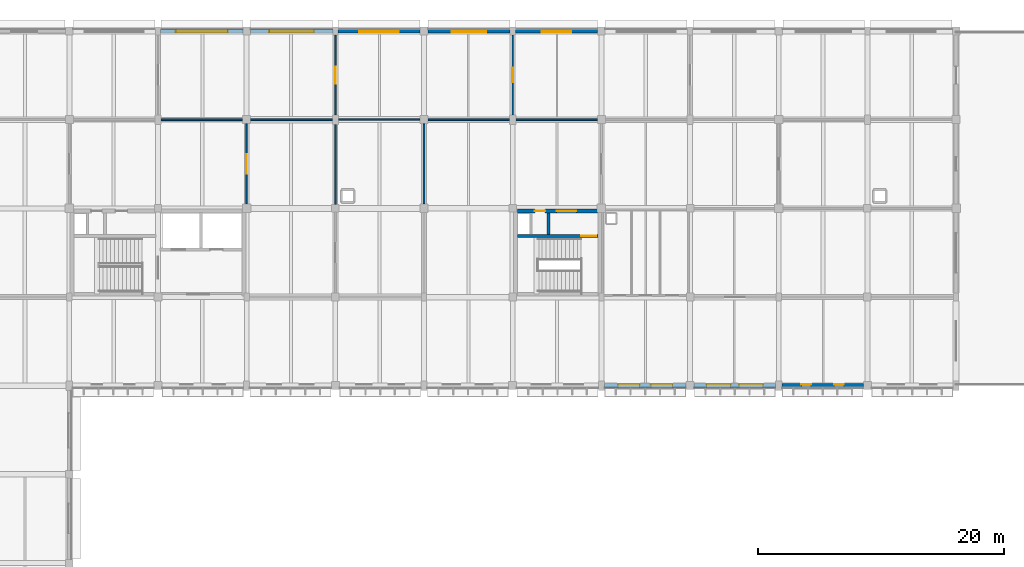
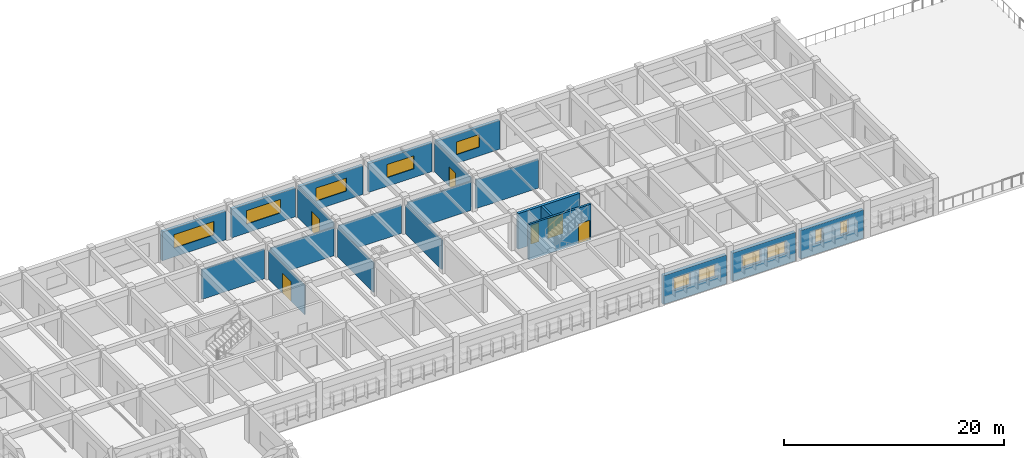
# One storey, part 26 of 38: 21 walls, 11 windows, 6 doors, 17 openings.
"""IFC4 building model written with IfcOpenShell, lengths in metres."""

from ifc_helpers import new_model, si_unit, direction, frame, frame_2d, origin, place, context, subcontext, project, spatial, rectangle, extrude, material, layer, layer_set, type_object, element, fill, save


model = new_model("IFC4")

# Units and contexts
model_context = context("Model", 3, precision=1e-05, world=origin(), true_north=direction((0.0, 1.0)))
body_context = subcontext(model_context, "Body", "Model", "MODEL_VIEW")
ifc_project = project(units=[si_unit("LENGTHUNIT", "METRE"), si_unit("AREAUNIT", "SQUARE_METRE"), si_unit("VOLUMEUNIT", "CUBIC_METRE"), si_unit("PLANEANGLEUNIT", "RADIAN"), si_unit("MASSUNIT", "GRAM", prefix="KILO")], contexts=[model_context])

# Site, building, storey
site_placement = place(None, origin())
site = spatial("IfcSite", under=ifc_project, at=site_placement, CompositionType="ELEMENT")
building_placement = place(site_placement, origin())
building = spatial("IfcBuilding", under=site, at=building_placement, Name="Thalmaran Polytechnic", CompositionType="ELEMENT")
storey_placement = place(building_placement, frame((0.0, 0.0, 18.60009765625)))
storey = spatial("IfcBuildingStorey", under=building, at=storey_placement, Name="L04", CompositionType="ELEMENT", Elevation=18.60009765625)

# Wall, openings, windows
ifc_material_1 = material(Name="Precast concrete C40/50", Category="concrete")
ifc_layer_1 = layer(ifc_material_1, 0.360107421875, Name="Precast concrete C40/50")
ifc_layer_set_1 = layer_set([ifc_layer_1], Name="Precast concrete C40/50")
wall_type_1 = type_object("IfcWallType", Name="WL-EW01", PredefinedType="STANDARD", material=ifc_layer_set_1)
wall_1_placement = place(storey_placement, frame((86.074951171875, 93.60009765625, 0.0), z_axis=(0.0, 0.0, 1.0), x_axis=(-1.0, 0.0, 0.0)))
wall_1 = element("IfcWall", 1, at=wall_1_placement, inside=storey, type_object=wall_type_1, Name="Exterior Precast Facade Wall L04-070", PredefinedType="STANDARD", context=body_context, shape_type="SweptSolid", body=[
    extrude(rectangle(XDim=6.625, YDim=0.360107421875, at=frame_2d((3.3125, 0.0))), origin(), (0.0, 0.0, 1.0), 3.179931640625),
])
opening_1_placement = place(wall_1_placement, frame((1.58740234375, 0.0, 1.14990234375)))
opening_1 = element("IfcOpeningElement", 2, at=opening_1_placement, cuts=wall_1, Name="Opening PW16", PredefinedType="OPENING", context=body_context, shape_type="SweptSolid", body=[
    extrude(rectangle(XDim=0.800048828125, YDim=1.5, at=frame_2d((0.39990234375, 0.75))), frame((0.0, 0.18994140625, 0.0), z_axis=(0.0, -1.0, 0.0), x_axis=(1.0, 0.0, 0.0)), (0.0, 0.0, 1.0), 0.380126953125),
])
opening_2_placement = place(wall_1_placement, frame((4.237548828125, 0.0, 1.14990234375)))
opening_2 = element("IfcOpeningElement", 3, at=opening_2_placement, cuts=wall_1, Name="Opening PW16", PredefinedType="OPENING", context=body_context, shape_type="SweptSolid", body=[
    extrude(rectangle(XDim=0.800048828125, YDim=1.5, at=frame_2d((0.39990234375, 0.75))), frame((0.0, 0.18994140625, 0.0), z_axis=(0.0, -1.0, 0.0), x_axis=(1.0, 0.0, 0.0)), (0.0, 0.0, 1.0), 0.380126953125),
])
ifc_material_2 = material(Name="Thermally broken aluminium and double low-E glass", Category="aluminium")
window_type_1 = type_object("IfcWindowType", Name="WN-PW06", PartitioningType="SINGLE_PANEL", PredefinedType="WINDOW", material=ifc_material_2)
window_1_placement = place(opening_1_placement, origin())
window_1 = element("IfcWindow", 4, at=window_1_placement, inside=storey, type_object=window_type_1, Name="Deep-Set Solar-Screened Window W-0606", OverallHeight=1.5, OverallWidth=0.800048828125, PartitioningType="SINGLE_PANEL", PredefinedType="WINDOW", context=body_context, shape_type="SweptSolid", body=[
    extrude(rectangle(XDim=0.800048828125, YDim=1.5, at=frame_2d((0.39990234375, 0.75))), frame((0.0, -0.080078125, 0.0), z_axis=(0.0, -1.0, 0.0), x_axis=(1.0, 0.0, 0.0)), (0.0, 0.0, 1.0), 0.06005859375),
])
fill(opening_1, window_1)
window_2_placement = place(opening_2_placement, origin())
window_2 = element("IfcWindow", 5, at=window_2_placement, inside=storey, type_object=window_type_1, Name="Deep-Set Solar-Screened Window W-0607", OverallHeight=1.5, OverallWidth=0.800048828125, PartitioningType="SINGLE_PANEL", PredefinedType="WINDOW", context=body_context, shape_type="SweptSolid", body=[
    extrude(rectangle(XDim=0.800048828125, YDim=1.5, at=frame_2d((0.39990234375, 0.75))), frame((0.0, -0.080078125, 0.0), z_axis=(0.0, -1.0, 0.0), x_axis=(1.0, 0.0, 0.0)), (0.0, 0.0, 1.0), 0.06005859375),
])
fill(opening_2, window_2)

wall_2_placement = place(storey_placement, frame((78.949951171875, 93.60009765625, 0.0), z_axis=(0.0, 0.0, 1.0), x_axis=(-1.0, 0.0, 0.0)))
wall_2 = element("IfcWall", 6, at=wall_2_placement, inside=storey, type_object=wall_type_1, Name="Exterior Precast Facade Wall L04-071", PredefinedType="STANDARD", context=body_context, shape_type="SweptSolid", body=[
    extrude(rectangle(XDim=6.625, YDim=0.360107421875, at=frame_2d((3.3125, 0.0))), origin(), (0.0, 0.0, 1.0), 3.179931640625),
])
opening_3_placement = place(wall_2_placement, frame((1.012451171875, 0.0, 1.14990234375)))
opening_3 = element("IfcOpeningElement", 7, at=opening_3_placement, cuts=wall_2, Name="Opening VW07", PredefinedType="OPENING", context=body_context, shape_type="SweptSolid", body=[
    extrude(rectangle(XDim=1.949951171875, YDim=1.39990234375, at=frame_2d((0.97509765625, 0.699951171875))), frame((0.0, 0.18994140625, 0.0), z_axis=(0.0, -1.0, 0.0), x_axis=(1.0, 0.0, 0.0)), (0.0, 0.0, 1.0), 0.380126953125),
])
opening_4_placement = place(wall_2_placement, frame((3.66259765625, 0.0, 1.14990234375)))
opening_4 = element("IfcOpeningElement", 8, at=opening_4_placement, cuts=wall_2, Name="Opening VW07", PredefinedType="OPENING", context=body_context, shape_type="SweptSolid", body=[
    extrude(rectangle(XDim=1.949951171875, YDim=1.39990234375, at=frame_2d((0.97509765625, 0.699951171875))), frame((0.0, 0.18994140625, 0.0), z_axis=(0.0, -1.0, 0.0), x_axis=(1.0, 0.0, 0.0)), (0.0, 0.0, 1.0), 0.380126953125),
])
window_type_2 = type_object("IfcWindowType", Name="WN-VZ07", PartitioningType="SINGLE_PANEL", PredefinedType="WINDOW", material=ifc_material_2)
window_3_placement = place(opening_3_placement, origin())
window_3 = element("IfcWindow", 9, at=window_3_placement, inside=storey, type_object=window_type_2, Name="Deep-Set Solar-Screened Window W-0608", OverallHeight=1.39990234375, OverallWidth=1.949951171875, PartitioningType="SINGLE_PANEL", PredefinedType="WINDOW", context=body_context, shape_type="SweptSolid", body=[
    extrude(rectangle(XDim=1.949951171875, YDim=1.39990234375, at=frame_2d((0.97509765625, 0.699951171875))), frame((0.0, -0.080078125, 0.0), z_axis=(0.0, -1.0, 0.0), x_axis=(1.0, 0.0, 0.0)), (0.0, 0.0, 1.0), 0.06005859375),
])
fill(opening_3, window_3)
window_4_placement = place(opening_4_placement, origin())
window_4 = element("IfcWindow", 10, at=window_4_placement, inside=storey, type_object=window_type_2, Name="Deep-Set Solar-Screened Window W-0609", OverallHeight=1.39990234375, OverallWidth=1.949951171875, PartitioningType="SINGLE_PANEL", PredefinedType="WINDOW", context=body_context, shape_type="SweptSolid", body=[
    extrude(rectangle(XDim=1.949951171875, YDim=1.39990234375, at=frame_2d((0.97509765625, 0.699951171875))), frame((0.0, -0.080078125, 0.0), z_axis=(0.0, -1.0, 0.0), x_axis=(1.0, 0.0, 0.0)), (0.0, 0.0, 1.0), 0.06005859375),
])
fill(opening_4, window_4)

wall_3_placement = place(storey_placement, frame((71.675048828125, 93.60009765625, 0.0), z_axis=(0.0, 0.0, 1.0), x_axis=(-1.0, 0.0, 0.0)))
wall_3 = element("IfcWall", 11, at=wall_3_placement, inside=storey, type_object=wall_type_1, Name="Exterior Precast Facade Wall L04-072", PredefinedType="STANDARD", context=body_context, shape_type="SweptSolid", body=[
    extrude(rectangle(XDim=6.625, YDim=0.360107421875, at=frame_2d((3.3125, 0.0))), origin(), (0.0, 0.0, 1.0), 3.199951171875),
])
opening_5_placement = place(wall_3_placement, frame((1.112548828125, 0.0, 1.14990234375)))
opening_5 = element("IfcOpeningElement", 12, at=opening_5_placement, cuts=wall_3, Name="Opening VW08", PredefinedType="OPENING", context=body_context, shape_type="SweptSolid", body=[
    extrude(rectangle(XDim=1.75, YDim=1.39990234375, at=frame_2d((0.875, 0.699951171875))), frame((0.0, 0.18994140625, 0.0), z_axis=(0.0, -1.0, 0.0), x_axis=(1.0, 0.0, 0.0)), (0.0, 0.0, 1.0), 0.380126953125),
])
opening_6_placement = place(wall_3_placement, frame((3.762451171875, 0.0, 1.14990234375)))
opening_6 = element("IfcOpeningElement", 13, at=opening_6_placement, cuts=wall_3, Name="Opening VW08", PredefinedType="OPENING", context=body_context, shape_type="SweptSolid", body=[
    extrude(rectangle(XDim=1.75, YDim=1.39990234375, at=frame_2d((0.875, 0.699951171875))), frame((0.0, 0.18994140625, 0.0), z_axis=(0.0, -1.0, 0.0), x_axis=(1.0, 0.0, 0.0)), (0.0, 0.0, 1.0), 0.380126953125),
])
window_type_3 = type_object("IfcWindowType", Name="WN-VZ08", PartitioningType="SINGLE_PANEL", PredefinedType="WINDOW", material=ifc_material_2)
window_5_placement = place(opening_5_placement, origin())
window_5 = element("IfcWindow", 14, at=window_5_placement, inside=storey, type_object=window_type_3, Name="Deep-Set Solar-Screened Window W-0610", OverallHeight=1.39990234375, OverallWidth=1.75, PartitioningType="SINGLE_PANEL", PredefinedType="WINDOW", context=body_context, shape_type="SweptSolid", body=[
    extrude(rectangle(XDim=1.75, YDim=1.39990234375, at=frame_2d((0.875, 0.699951171875))), frame((0.0, -0.080078125, 0.0), z_axis=(0.0, -1.0, 0.0), x_axis=(1.0, 0.0, 0.0)), (0.0, 0.0, 1.0), 0.06005859375),
])
fill(opening_5, window_5)
window_6_placement = place(opening_6_placement, origin())
window_6 = element("IfcWindow", 15, at=window_6_placement, inside=storey, type_object=window_type_3, Name="Deep-Set Solar-Screened Window W-0611", OverallHeight=1.39990234375, OverallWidth=1.75, PartitioningType="SINGLE_PANEL", PredefinedType="WINDOW", context=body_context, shape_type="SweptSolid", body=[
    extrude(rectangle(XDim=1.75, YDim=1.39990234375, at=frame_2d((0.875, 0.699951171875))), frame((0.0, -0.080078125, 0.0), z_axis=(0.0, -1.0, 0.0), x_axis=(1.0, 0.0, 0.0)), (0.0, 0.0, 1.0), 0.06005859375),
])
fill(opening_6, window_6)

# Wall, opening, window
ifc_layer_2 = layer(ifc_material_1, 0.31005859375, Name="Precast concrete C40/50")
ifc_layer_set_2 = layer_set([ifc_layer_2], Name="Precast concrete C40/50")
wall_type_2 = type_object("IfcWallType", Name="WL-EW03", PredefinedType="STANDARD", material=ifc_layer_set_2)
wall_4_placement = place(storey_placement, frame((29.010009765625, 122.39990234375, 0.0), z_axis=(0.0, 0.0, 1.0), x_axis=(1.0, 0.0, 0.0)))
wall_4 = element("IfcWall", 16, at=wall_4_placement, inside=storey, type_object=wall_type_2, Name="Exterior Precast Facade Wall L04-056", PredefinedType="STANDARD", context=body_context, shape_type="SweptSolid", body=[
    extrude(rectangle(XDim=6.679931640625, YDim=0.31005859375, at=frame_2d((3.33984375, 0.0))), origin(), (0.0, 0.0, 1.0), 3.199951171875),
])
opening_7_placement = place(wall_4_placement, frame((1.239990234375, 0.0, 0.97998046875)))
opening_7 = element("IfcOpeningElement", 17, at=opening_7_placement, cuts=wall_4, Name="Opening RW02", PredefinedType="OPENING", context=body_context, shape_type="SweptSolid", body=[
    extrude(rectangle(XDim=4.199951171875, YDim=1.5, at=frame_2d((2.10009765625, 0.75))), frame((0.0, 0.1650390625, 0.0), z_axis=(0.0, -1.0, 0.0), x_axis=(1.0, 0.0, 0.0)), (0.0, 0.0, 1.0), 0.330078125),
])
window_type_4 = type_object("IfcWindowType", Name="WN-RW02", PartitioningType="TRIPLE_PANEL_HORIZONTAL", PredefinedType="WINDOW", material=ifc_material_2)
window_7_placement = place(opening_7_placement, origin())
window_7 = element("IfcWindow", 18, at=window_7_placement, inside=storey, type_object=window_type_4, Name="Streamline Ribbon Window W-0593", OverallHeight=1.5, OverallWidth=4.199951171875, PartitioningType="SINGLE_PANEL", PredefinedType="WINDOW", context=body_context, shape_type="SweptSolid", body=[
    extrude(rectangle(XDim=4.199951171875, YDim=1.5, at=frame_2d((2.10009765625, 0.75))), frame((0.0, -0.030029296875, 0.0), z_axis=(0.0, -1.0, 0.0), x_axis=(1.0, 0.0, 0.0)), (0.0, 0.0, 1.0), 0.06005859375),
])
fill(opening_7, window_7)

wall_5_placement = place(storey_placement, frame((36.31005859375, 122.39990234375, 0.0), z_axis=(0.0, 0.0, 1.0), x_axis=(1.0, 0.0, 0.0)))
wall_5 = element("IfcWall", 19, at=wall_5_placement, inside=storey, type_object=wall_type_2, Name="Exterior Precast Facade Wall L04-057", PredefinedType="STANDARD", context=body_context, shape_type="SweptSolid", body=[
    extrude(rectangle(XDim=6.679931640625, YDim=0.31005859375, at=frame_2d((3.33984375, 0.0))), origin(), (0.0, 0.0, 1.0), 3.199951171875),
])
opening_8_placement = place(wall_5_placement, frame((1.5400390625, 0.0, 0.97998046875)))
opening_8 = element("IfcOpeningElement", 20, at=opening_8_placement, cuts=wall_5, Name="Opening RW03", PredefinedType="OPENING", context=body_context, shape_type="SweptSolid", body=[
    extrude(rectangle(XDim=3.60009765625, YDim=1.5, at=frame_2d((1.800048828125, 0.75))), frame((0.0, 0.1650390625, 0.0), z_axis=(0.0, -1.0, 0.0), x_axis=(1.0, 0.0, 0.0)), (0.0, 0.0, 1.0), 0.330078125),
])
window_type_5 = type_object("IfcWindowType", Name="WN-RW03", PartitioningType="DOUBLE_PANEL_VERTICAL", PredefinedType="WINDOW", material=ifc_material_2)
window_8_placement = place(opening_8_placement, origin())
window_8 = element("IfcWindow", 21, at=window_8_placement, inside=storey, type_object=window_type_5, Name="Streamline Ribbon Window W-0594", OverallHeight=1.5, OverallWidth=3.60009765625, PartitioningType="SINGLE_PANEL", PredefinedType="WINDOW", context=body_context, shape_type="SweptSolid", body=[
    extrude(rectangle(XDim=3.60009765625, YDim=1.5, at=frame_2d((1.800048828125, 0.75))), frame((0.0, -0.030029296875, 0.0), z_axis=(0.0, -1.0, 0.0), x_axis=(1.0, 0.0, 0.0)), (0.0, 0.0, 1.0), 0.06005859375),
])
fill(opening_8, window_8)

wall_6_placement = place(storey_placement, frame((43.409912109375, 122.39990234375, 0.0), z_axis=(0.0, 0.0, 1.0), x_axis=(1.0, 0.0, 0.0)))
wall_6 = element("IfcWall", 22, at=wall_6_placement, inside=storey, type_object=wall_type_2, Name="Exterior Precast Facade Wall L04-058", PredefinedType="STANDARD", context=body_context, shape_type="SweptSolid", body=[
    extrude(rectangle(XDim=6.68017578125, YDim=0.31005859375, at=frame_2d((3.340087890625, 0.0))), origin(), (0.0, 0.0, 1.0), 3.199951171875),
])
opening_9_placement = place(wall_6_placement, frame((1.739990234375, 0.0, 0.97998046875)))
opening_9 = element("IfcOpeningElement", 23, at=opening_9_placement, cuts=wall_6, Name="Opening RW04", PredefinedType="OPENING", context=body_context, shape_type="SweptSolid", body=[
    extrude(rectangle(XDim=3.199951171875, YDim=1.449951171875, at=frame_2d((1.60009765625, 0.72509765625))), frame((0.0, 0.1650390625, 0.0), z_axis=(0.0, -1.0, 0.0), x_axis=(1.0, 0.0, 0.0)), (0.0, 0.0, 1.0), 0.330078125),
])
window_type_6 = type_object("IfcWindowType", Name="WN-RW04", PartitioningType="DOUBLE_PANEL_VERTICAL", PredefinedType="WINDOW", material=ifc_material_2)
window_9_placement = place(opening_9_placement, origin())
window_9 = element("IfcWindow", 24, at=window_9_placement, inside=storey, type_object=window_type_6, Name="Streamline Ribbon Window W-0595", OverallHeight=1.449951171875, OverallWidth=3.199951171875, PartitioningType="SINGLE_PANEL", PredefinedType="WINDOW", context=body_context, shape_type="SweptSolid", body=[
    extrude(rectangle(XDim=3.199951171875, YDim=1.449951171875, at=frame_2d((1.60009765625, 0.72509765625))), frame((0.0, -0.030029296875, 0.0), z_axis=(0.0, -1.0, 0.0), x_axis=(1.0, 0.0, 0.0)), (0.0, 0.0, 1.0), 0.06005859375),
])
fill(opening_9, window_9)

wall_7_placement = place(storey_placement, frame((50.7099609375, 122.39990234375, 0.0), z_axis=(0.0, 0.0, 1.0), x_axis=(1.0, 0.0, 0.0)))
wall_7 = element("IfcWall", 25, at=wall_7_placement, inside=storey, type_object=wall_type_2, Name="Exterior Precast Facade Wall L04-059", PredefinedType="STANDARD", context=body_context, shape_type="SweptSolid", body=[
    extrude(rectangle(XDim=6.679931640625, YDim=0.31005859375, at=frame_2d((3.33984375, 0.0))), origin(), (0.0, 0.0, 1.0), 3.199951171875),
])
opening_10_placement = place(wall_7_placement, frame((1.93994140625, 0.0, 0.97998046875)))
opening_10 = element("IfcOpeningElement", 26, at=opening_10_placement, cuts=wall_7, Name="Opening RW05", PredefinedType="OPENING", context=body_context, shape_type="SweptSolid", body=[
    extrude(rectangle(XDim=2.800048828125, YDim=1.449951171875, at=frame_2d((1.39990234375, 0.72509765625))), frame((0.0, 0.1650390625, 0.0), z_axis=(0.0, -1.0, 0.0), x_axis=(1.0, 0.0, 0.0)), (0.0, 0.0, 1.0), 0.330078125),
])
window_type_7 = type_object("IfcWindowType", Name="WN-RW05", PartitioningType="DOUBLE_PANEL_VERTICAL", PredefinedType="WINDOW", material=ifc_material_2)
window_10_placement = place(opening_10_placement, origin())
window_10 = element("IfcWindow", 27, at=window_10_placement, inside=storey, type_object=window_type_7, Name="Streamline Ribbon Window W-0596", OverallHeight=1.449951171875, OverallWidth=2.800048828125, PartitioningType="SINGLE_PANEL", PredefinedType="WINDOW", context=body_context, shape_type="SweptSolid", body=[
    extrude(rectangle(XDim=2.800048828125, YDim=1.449951171875, at=frame_2d((1.39990234375, 0.72509765625))), frame((0.0, -0.030029296875, 0.0), z_axis=(0.0, -1.0, 0.0), x_axis=(1.0, 0.0, 0.0)), (0.0, 0.0, 1.0), 0.06005859375),
])
fill(opening_10, window_10)

wall_8_placement = place(storey_placement, frame((57.81005859375, 122.39990234375, 0.0), z_axis=(0.0, 0.0, 1.0), x_axis=(1.0, 0.0, 0.0)))
wall_8 = element("IfcWall", 28, at=wall_8_placement, inside=storey, type_object=wall_type_2, Name="Exterior Precast Facade Wall L04-060", PredefinedType="STANDARD", context=body_context, shape_type="SweptSolid", body=[
    extrude(rectangle(XDim=6.679931640625, YDim=0.31005859375, at=frame_2d((3.33984375, 0.0))), origin(), (0.0, 0.0, 1.0), 3.199951171875),
])
opening_11_placement = place(wall_8_placement, frame((2.139892578125, 0.0, 0.97998046875)))
opening_11 = element("IfcOpeningElement", 29, at=opening_11_placement, cuts=wall_8, Name="Opening RW06", PredefinedType="OPENING", context=body_context, shape_type="SweptSolid", body=[
    extrude(rectangle(XDim=2.39990234375, YDim=1.39990234375, at=frame_2d((1.199951171875, 0.699951171875))), frame((0.0, 0.1650390625, 0.0), z_axis=(0.0, -1.0, 0.0), x_axis=(1.0, 0.0, 0.0)), (0.0, 0.0, 1.0), 0.330078125),
])
window_type_8 = type_object("IfcWindowType", Name="WN-RW06", PartitioningType="DOUBLE_PANEL_VERTICAL", PredefinedType="WINDOW", material=ifc_material_2)
window_11_placement = place(opening_11_placement, origin())
window_11 = element("IfcWindow", 30, at=window_11_placement, inside=storey, type_object=window_type_8, Name="Streamline Ribbon Window W-0597", OverallHeight=1.39990234375, OverallWidth=2.39990234375, PartitioningType="SINGLE_PANEL", PredefinedType="WINDOW", context=body_context, shape_type="SweptSolid", body=[
    extrude(rectangle(XDim=2.39990234375, YDim=1.39990234375, at=frame_2d((1.199951171875, 0.699951171875))), frame((0.0, -0.030029296875, 0.0), z_axis=(0.0, -1.0, 0.0), x_axis=(1.0, 0.0, 0.0)), (0.0, 0.0, 1.0), 0.06005859375),
])
fill(opening_11, window_11)

# Walls
ifc_material_3 = material(Name="Autoclaved aerated masonry", Category="masonry")
ifc_layer_3 = layer(ifc_material_3, 0.22998046875, Name="Autoclaved aerated masonry")
ifc_layer_set_3 = layer_set([ifc_layer_3], Name="Autoclaved aerated masonry")
wall_type_3 = type_object("IfcWallType", Name="WL-IW02", PredefinedType="PARTITIONING", material=ifc_layer_set_3)
wall_9_placement = place(storey_placement, frame((60.5, 105.89990234375, 0.0), z_axis=(0.0, 0.0, 1.0), x_axis=(0.0, 1.0, 0.0)))
element("IfcWall", 31, at=wall_9_placement, inside=storey, type_object=wall_type_3, Name="Core C6 Riser Partition L04", PredefinedType="PARTITIONING", context=body_context, shape_type="SweptSolid", body=[
    extrude(rectangle(XDim=1.739990234375, YDim=0.22998046875, at=frame_2d((0.8701171875, 0.0))), origin(), (0.0, 0.0, 1.0), 3.954833984375),
])
ifc_material_4 = material(Name="Gypsum acoustic partition")
ifc_layer_4 = layer(ifc_material_4, 0.14501953125, Name="Gypsum acoustic partition")
ifc_layer_set_4 = layer_set([ifc_layer_4], Name="Gypsum acoustic partition")
wall_type_4 = type_object("IfcWallType", Name="WL-IW06", PredefinedType="PARTITIONING", material=ifc_layer_set_4)
wall_10_placement = place(storey_placement, frame((50.39990234375, 108.344970703125, 0.0), z_axis=(0.0, 0.0, 1.0), x_axis=(0.0, 1.0, 0.0)))
element("IfcWall", 32, at=wall_10_placement, inside=storey, type_object=wall_type_4, Name="Interior Partition IW06 L04-044", PredefinedType="PARTITIONING", context=body_context, shape_type="SweptSolid", body=[
    extrude(rectangle(XDim=6.525146484375, YDim=0.14501953125, at=frame_2d((3.2626953125, 0.0))), origin(), (0.0, 0.0, 1.0), 3.260009765625),
])
wall_11_placement = place(storey_placement, frame((50.72998046875, 115.199951171875, 0.0), z_axis=(0.0, 0.0, 1.0), x_axis=(1.0, 0.0, 0.0)))
element("IfcWall", 33, at=wall_11_placement, inside=storey, type_object=wall_type_4, Name="Interior Partition IW06 L04-046", PredefinedType="PARTITIONING", context=body_context, shape_type="SweptSolid", body=[
    extrude(rectangle(XDim=6.614990234375, YDim=0.14501953125, at=frame_2d((3.3076171875, 0.0))), origin(), (0.0, 0.0, 1.0), 3.204833984375),
])
wall_12_placement = place(storey_placement, frame((57.85498046875, 115.199951171875, 0.0), z_axis=(0.0, 0.0, 1.0), x_axis=(1.0, 0.0, 0.0)))
element("IfcWall", 34, at=wall_12_placement, inside=storey, type_object=wall_type_4, Name="Interior Partition IW06 L04-049", PredefinedType="PARTITIONING", context=body_context, shape_type="SweptSolid", body=[
    extrude(rectangle(XDim=6.614990234375, YDim=0.14501953125, at=frame_2d((3.3076171875, 0.0))), origin(), (0.0, 0.0, 1.0), 3.21484375),
])
ifc_layer_5 = layer(ifc_material_4, 0.1298828125, Name="Gypsum acoustic partition")
ifc_layer_set_5 = layer_set([ifc_layer_5], Name="Gypsum acoustic partition")
wall_type_5 = type_object("IfcWallType", Name="WL-IW07", PredefinedType="PARTITIONING", material=ifc_layer_set_5)
wall_13_placement = place(storey_placement, frame((29.054931640625, 115.199951171875, 0.0), z_axis=(0.0, 0.0, 1.0), x_axis=(1.0, 0.0, 0.0)))
element("IfcWall", 35, at=wall_13_placement, inside=storey, type_object=wall_type_5, Name="Interior Partition IW07 L04-036", PredefinedType="PARTITIONING", context=body_context, shape_type="SweptSolid", body=[
    extrude(rectangle(XDim=6.614990234375, YDim=0.1298828125, at=frame_2d((3.3076171875, 0.0))), origin(), (0.0, 0.0, 1.0), 3.31494140625),
])
wall_14_placement = place(storey_placement, frame((36.330078125, 115.199951171875, 0.0), z_axis=(0.0, 0.0, 1.0), x_axis=(1.0, 0.0, 0.0)))
element("IfcWall", 36, at=wall_14_placement, inside=storey, type_object=wall_type_5, Name="Interior Partition IW07 L04-040", PredefinedType="PARTITIONING", context=body_context, shape_type="SweptSolid", body=[
    extrude(rectangle(XDim=6.614990234375, YDim=0.1298828125, at=frame_2d((3.3076171875, 0.0))), origin(), (0.0, 0.0, 1.0), 3.15478515625),
])

# Wall, opening, door
ifc_layer_6 = layer(ifc_material_4, 0.114990234375, Name="Gypsum acoustic partition")
ifc_layer_set_6 = layer_set([ifc_layer_6], Name="Gypsum acoustic partition")
wall_type_6 = type_object("IfcWallType", Name="WL-IW08", PredefinedType="PARTITIONING", material=ifc_layer_set_6)
wall_15_placement = place(storey_placement, frame((36.0, 108.344970703125, 0.0), z_axis=(0.0, 0.0, 1.0), x_axis=(0.0, 1.0, 0.0)))
wall_15 = element("IfcWall", 37, at=wall_15_placement, inside=storey, type_object=wall_type_6, Name="Interior Partition IW08 L04-035", PredefinedType="PARTITIONING", context=body_context, shape_type="SweptSolid", body=[
    extrude(rectangle(XDim=6.525146484375, YDim=0.114990234375, at=frame_2d((3.2626953125, 0.0))), origin(), (0.0, 0.0, 1.0), 3.260009765625),
])
opening_12_placement = place(wall_15_placement, frame((2.46240234375, 0.0, 0.0)))
opening_12 = element("IfcOpeningElement", 38, at=opening_12_placement, cuts=wall_15, Name="Opening D-L04-016-2-09-1", PredefinedType="OPENING", context=body_context, shape_type="SweptSolid", body=[
    extrude(rectangle(XDim=1.60009765625, YDim=2.199951171875, at=frame_2d((0.800048828125, 1.10009765625))), frame((0.0, 0.0673828125, 0.0), z_axis=(0.0, -1.0, 0.0), x_axis=(1.0, 0.0, 0.0)), (0.0, 0.0, 1.0), 0.135009765625),
])
ifc_material_5 = material(Name="Powder-coated fire-rated steel", Category="steel")
door_type_1 = type_object("IfcDoorType", Name="DR-FD05", OperationType="NOTDEFINED", PredefinedType="DOOR", material=ifc_material_5)
door_1_placement = place(opening_12_placement, origin())
door_1 = element("IfcDoor", 39, at=door_1_placement, inside=storey, type_object=door_type_1, Name="Library Book Stacks L04-09 Door 1", OperationType="DOUBLE_DOOR_SINGLE_SWING", OverallHeight=2.199951171875, OverallWidth=1.60009765625, PredefinedType="DOOR", context=body_context, shape_type="SweptSolid", body=[
    extrude(rectangle(XDim=1.60009765625, YDim=2.199951171875, at=frame_2d((0.800048828125, 1.10009765625))), frame((0.0, 0.02490234375, 0.0), z_axis=(0.0, -1.0, 0.0), x_axis=(1.0, 0.0, 0.0)), (0.0, 0.0, 1.0), 0.050048828125),
])
fill(opening_12, door_1)

# Wall
wall_16_placement = place(storey_placement, frame((43.199951171875, 108.304931640625, 0.0), z_axis=(0.0, 0.0, 1.0), x_axis=(0.0, 1.0, 0.0)))
element("IfcWall", 40, at=wall_16_placement, inside=storey, type_object=wall_type_6, Name="Interior Partition IW08 L04-039", PredefinedType="PARTITIONING", context=body_context, shape_type="SweptSolid", body=[
    extrude(rectangle(XDim=6.51513671875, YDim=0.114990234375, at=frame_2d((3.257568359375, 0.0))), origin(), (0.0, 0.0, 1.0), 3.260009765625),
])

# Wall, opening, door
wall_17_placement = place(storey_placement, frame((43.199951171875, 115.580078125, 0.0), z_axis=(0.0, 0.0, 1.0), x_axis=(0.0, 1.0, 0.0)))
wall_17 = element("IfcWall", 41, at=wall_17_placement, inside=storey, type_object=wall_type_6, Name="Interior Partition IW08 L04-041", PredefinedType="PARTITIONING", context=body_context, shape_type="SweptSolid", body=[
    extrude(rectangle(XDim=6.494873046875, YDim=0.114990234375, at=frame_2d((3.24755859375, 0.0))), origin(), (0.0, 0.0, 1.0), 3.324951171875),
])
opening_13_placement = place(wall_17_placement, frame((2.5576171875, 0.0, 0.0)))
opening_13 = element("IfcOpeningElement", 42, at=opening_13_placement, cuts=wall_17, Name="Opening D-L04-018-2-11-1", PredefinedType="OPENING", context=body_context, shape_type="SweptSolid", body=[
    extrude(rectangle(XDim=1.3798828125, YDim=2.219970703125, at=frame_2d((0.68994140625, 1.10986328125))), frame((0.0, 0.0673828125, 0.0), z_axis=(0.0, -1.0, 0.0), x_axis=(1.0, 0.0, 0.0)), (0.0, 0.0, 1.0), 0.135009765625),
])
ifc_material_6 = material(Name="Acoustic hardwood and vision glass", Category="wood")
door_type_2 = type_object("IfcDoorType", Name="DR-ZD04", OperationType="NOTDEFINED", PredefinedType="DOOR", material=ifc_material_6)
door_2_placement = place(opening_13_placement, origin())
door_2 = element("IfcDoor", 43, at=door_2_placement, inside=storey, type_object=door_type_2, Name="Seminar Room L04-11 Door 1", OperationType="SINGLE_SWING_RIGHT", OverallHeight=2.219970703125, OverallWidth=1.3798828125, PredefinedType="DOOR", context=body_context, shape_type="SweptSolid", body=[
    extrude(rectangle(XDim=1.3798828125, YDim=2.219970703125, at=frame_2d((0.68994140625, 1.10986328125))), frame((0.0, 0.02490234375, 0.0), z_axis=(0.0, -1.0, 0.0), x_axis=(1.0, 0.0, 0.0)), (0.0, 0.0, 1.0), 0.050048828125),
])
fill(opening_13, door_2)

# Wall
wall_18_placement = place(storey_placement, frame((43.455078125, 115.199951171875, 0.0), z_axis=(0.0, 0.0, 1.0), x_axis=(1.0, 0.0, 0.0)))
element("IfcWall", 44, at=wall_18_placement, inside=storey, type_object=wall_type_6, Name="Interior Partition IW08 L04-045", PredefinedType="PARTITIONING", context=body_context, shape_type="SweptSolid", body=[
    extrude(rectangle(XDim=6.614990234375, YDim=0.114990234375, at=frame_2d((3.3076171875, 0.0))), origin(), (0.0, 0.0, 1.0), 3.1748046875),
])

# Wall, opening, door
wall_19_placement = place(storey_placement, frame((57.60009765625, 115.580078125, 0.0), z_axis=(0.0, 0.0, 1.0), x_axis=(0.0, 1.0, 0.0)))
wall_19 = element("IfcWall", 45, at=wall_19_placement, inside=storey, type_object=wall_type_6, Name="Interior Partition IW08 L04-047", PredefinedType="PARTITIONING", context=body_context, shape_type="SweptSolid", body=[
    extrude(rectangle(XDim=6.494873046875, YDim=0.114990234375, at=frame_2d((3.24755859375, 0.0))), origin(), (0.0, 0.0, 1.0), 3.324951171875),
])
opening_14_placement = place(wall_19_placement, frame((2.657470703125, 0.0, 0.0)))
opening_14 = element("IfcOpeningElement", 46, at=opening_14_placement, cuts=wall_19, Name="Opening D-L04-019-2-12-1", PredefinedType="OPENING", context=body_context, shape_type="SweptSolid", body=[
    extrude(rectangle(XDim=1.179931640625, YDim=2.179931640625, at=frame_2d((0.58984375, 1.08984375))), frame((0.0, 0.0673828125, 0.0), z_axis=(0.0, -1.0, 0.0), x_axis=(1.0, 0.0, 0.0)), (0.0, 0.0, 1.0), 0.135009765625),
])
ifc_material_7 = material(Name="Acoustic hardwood", Category="wood")
door_type_3 = type_object("IfcDoorType", Name="DR-ZD05", OperationType="NOTDEFINED", PredefinedType="DOOR", material=ifc_material_7)
door_3_placement = place(opening_14_placement, origin())
door_3 = element("IfcDoor", 47, at=door_3_placement, inside=storey, type_object=door_type_3, Name="Urban Design Studio L04-12 Door 1", OperationType="SINGLE_SWING_LEFT", OverallHeight=2.179931640625, OverallWidth=1.179931640625, PredefinedType="DOOR", context=body_context, shape_type="SweptSolid", body=[
    extrude(rectangle(XDim=1.179931640625, YDim=2.179931640625, at=frame_2d((0.58984375, 1.08984375))), frame((0.0, 0.02490234375, 0.0), z_axis=(0.0, -1.0, 0.0), x_axis=(1.0, 0.0, 0.0)), (0.0, 0.0, 1.0), 0.050048828125),
])
fill(opening_14, door_3)

# Wall, openings, doors
ifc_material_8 = material(Name="Concrete C50/60", Category="concrete")
ifc_layer_7 = layer(ifc_material_8, 0.300048828125, Name="Concrete C50/60")
ifc_layer_set_7 = layer_set([ifc_layer_7], Name="Concrete C50/60")
wall_type_7 = type_object("IfcWallType", Name="WL-SW04", PredefinedType="SHEAR", material=ifc_layer_set_7)
wall_20_placement = place(storey_placement, frame((57.969970703125, 107.780029296875, 0.0), z_axis=(0.0, 0.0, 1.0), x_axis=(1.0, 0.0, 0.0)))
wall_20 = element("IfcWall", 48, at=wall_20_placement, inside=storey, type_object=wall_type_7, Name="Core C6 North Shear Wall L04", PredefinedType="SHEAR", context=body_context, shape_type="SweptSolid", body=[
    extrude(rectangle(XDim=6.5400390625, YDim=0.300048828125, at=frame_2d((3.27001953125, 0.0))), origin(), (0.0, 0.0, 1.0), 3.954833984375),
])
opening_15_placement = place(wall_20_placement, frame((1.419921875, 0.0, 0.0)))
opening_15 = element("IfcOpeningElement", 49, at=opening_15_placement, cuts=wall_20, Name="Opening DR-C6-L04-R", PredefinedType="OPENING", context=body_context, shape_type="SweptSolid", body=[
    extrude(rectangle(XDim=0.85009765625, YDim=2.10009765625, at=frame_2d((0.425048828125, 1.050048828125))), frame((0.0, 0.159912109375, 0.0), z_axis=(0.0, -1.0, 0.0), x_axis=(1.0, 0.0, 0.0)), (0.0, 0.0, 1.0), 0.320068359375),
])
opening_16_placement = place(wall_20_placement, frame((3.199951171875, 0.0, 0.0)))
opening_16 = element("IfcOpeningElement", 50, at=opening_16_placement, cuts=wall_20, Name="Opening LD-C6-L04", PredefinedType="OPENING", context=body_context, shape_type="SweptSolid", body=[
    extrude(rectangle(XDim=1.60009765625, YDim=2.199951171875, at=frame_2d((0.800048828125, 1.10009765625))), frame((0.0, 0.159912109375, 0.0), z_axis=(0.0, -1.0, 0.0), x_axis=(1.0, 0.0, 0.0)), (0.0, 0.0, 1.0), 0.320068359375),
])
door_4_placement = place(opening_16_placement, frame((1.60009765625, 0.0, 0.0), z_axis=(0.0, 0.0, 1.0), x_axis=(-1.0, 0.0, 0.0)))
door_4 = element("IfcDoor", 51, at=door_4_placement, inside=storey, type_object=door_type_1, Name="Stair Lobby Fire Door C6 L04", OperationType="DOUBLE_DOOR_SINGLE_SWING", OverallHeight=2.199951171875, OverallWidth=1.60009765625, PredefinedType="DOOR", context=body_context, shape_type="SweptSolid", body=[
    extrude(rectangle(XDim=1.60009765625, YDim=2.199951171875, at=frame_2d((0.800048828125, 1.10009765625))), frame((0.0, 0.02490234375, 0.0), z_axis=(0.0, -1.0, 0.0), x_axis=(1.0, 0.0, 0.0)), (0.0, 0.0, 1.0), 0.050048828125),
])
fill(opening_16, door_4)
door_type_4 = type_object("IfcDoorType", Name="DR-FD09", OperationType="NOTDEFINED", PredefinedType="DOOR", material=ifc_material_5)
door_5_placement = place(opening_15_placement, origin())
door_5 = element("IfcDoor", 52, at=door_5_placement, inside=storey, type_object=door_type_4, Name="Riser Access Fire Door C6 L04", OperationType="SINGLE_SWING_LEFT", OverallHeight=2.10009765625, OverallWidth=0.85009765625, PredefinedType="DOOR", context=body_context, shape_type="SweptSolid", body=[
    extrude(rectangle(XDim=0.85009765625, YDim=2.10009765625, at=frame_2d((0.425048828125, 1.050048828125))), frame((0.0, 0.02490234375, 0.0), z_axis=(0.0, -1.0, 0.0), x_axis=(1.0, 0.0, 0.0)), (0.0, 0.0, 1.0), 0.050048828125),
])
fill(opening_15, door_5)

# Wall, opening, door
wall_21_placement = place(storey_placement, frame((57.969970703125, 105.760009765625, 0.0), z_axis=(0.0, 0.0, 1.0), x_axis=(1.0, 0.0, 0.0)))
wall_21 = element("IfcWall", 53, at=wall_21_placement, inside=storey, type_object=wall_type_7, Name="Core C6 Stair Partition L04", PredefinedType="SHEAR", context=body_context, shape_type="SweptSolid", body=[
    extrude(rectangle(XDim=6.5400390625, YDim=0.219970703125, at=frame_2d((3.27001953125, 0.0))), origin(), (0.0, 0.0, 1.0), 3.954833984375),
])
opening_17_placement = place(wall_21_placement, frame((5.199951171875, 0.0, 0.0)))
opening_17 = element("IfcOpeningElement", 54, at=opening_17_placement, cuts=wall_21, Name="Opening SD-ST6-L04", PredefinedType="OPENING", context=body_context, shape_type="SweptSolid", body=[
    extrude(rectangle(XDim=1.199951171875, YDim=2.199951171875, at=frame_2d((0.60009765625, 1.10009765625))), frame((0.0, 0.119873046875, 0.0), z_axis=(0.0, -1.0, 0.0), x_axis=(1.0, 0.0, 0.0)), (0.0, 0.0, 1.0), 0.239990234375),
])
door_type_5 = type_object("IfcDoorType", Name="DR-FD04", OperationType="NOTDEFINED", PredefinedType="DOOR", material=ifc_material_5)
door_6_placement = place(opening_17_placement, origin())
door_6 = element("IfcDoor", 55, at=door_6_placement, inside=storey, type_object=door_type_5, Name="Exit Stair Fire Door ST6 L04", OperationType="DOUBLE_DOOR_SINGLE_SWING", OverallHeight=2.199951171875, OverallWidth=1.199951171875, PredefinedType="DOOR", context=body_context, shape_type="SweptSolid", body=[
    extrude(rectangle(XDim=1.199951171875, YDim=2.199951171875, at=frame_2d((0.60009765625, 1.10009765625))), frame((0.0, 0.02490234375, 0.0), z_axis=(0.0, -1.0, 0.0), x_axis=(1.0, 0.0, 0.0)), (0.0, 0.0, 1.0), 0.050048828125),
])
fill(opening_17, door_6)

save(model, "model.ifc")
